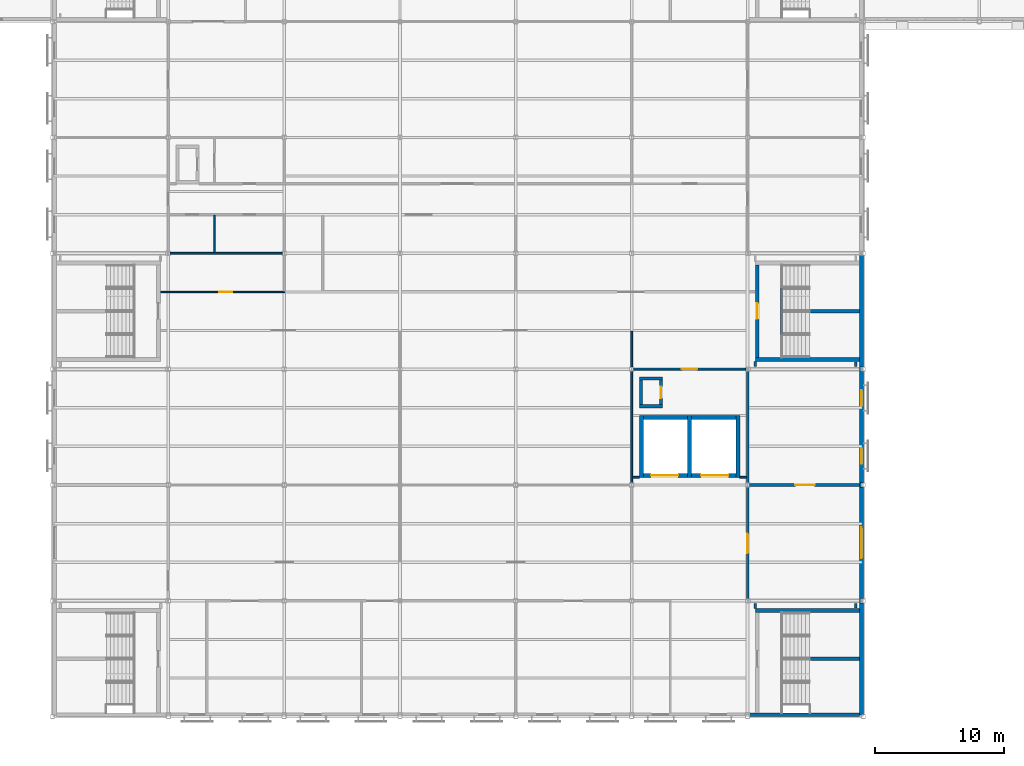
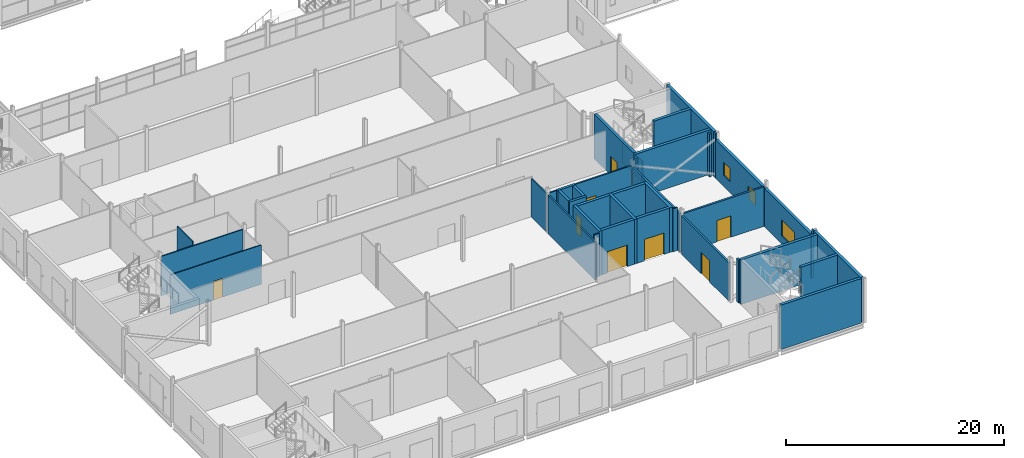
# One storey, part 79 of 112: 40 walls, 8 doors, 3 windows, 11 openings.
"""IFC4 building model written with IfcOpenShell, lengths in metres."""

from ifc_helpers import new_model, si_unit, direction, frame, frame_2d, origin, place, context, subcontext, project, spatial, rectangle, extrude, material, layer, layer_set, type_object, element, fill, save


model = new_model("IFC4")

# Units and contexts
model_context = context("Model", 3, precision=1e-05, world=origin(), true_north=direction((0.0, 1.0)))
body_context = subcontext(model_context, "Body", "Model", "MODEL_VIEW")
ifc_project = project(units=[si_unit("LENGTHUNIT", "METRE"), si_unit("AREAUNIT", "SQUARE_METRE"), si_unit("VOLUMEUNIT", "CUBIC_METRE"), si_unit("PLANEANGLEUNIT", "RADIAN"), si_unit("MASSUNIT", "GRAM", prefix="KILO")], contexts=[model_context])

# Site, building, storey
site_placement = place(None, origin())
site = spatial("IfcSite", under=ifc_project, at=site_placement, CompositionType="ELEMENT")
building_placement = place(site_placement, origin())
building = spatial("IfcBuilding", under=site, at=building_placement, Name="Shorebreak Coast Museum", CompositionType="ELEMENT")
storey_placement = place(building_placement, frame((0.0, 0.0, 6.0)))
storey = spatial("IfcBuildingStorey", under=building, at=storey_placement, Name="L01", CompositionType="ELEMENT", Elevation=6.0)

# Walls
ifc_material_1 = material(Name="Concrete N50 (50 MPa)", Category="concrete")
ifc_layer_1 = layer(ifc_material_1, 0.14990234375)
ifc_layer_set_1 = layer_set([ifc_layer_1], Name="Concrete N50 (50 MPa)")
wall_type_1 = type_object("IfcWallType", Name="Column closure panel 150", PredefinedType="SOLIDWALL", material=ifc_layer_set_1)
wall_1_placement = place(storey_placement, frame((116.77490234375, 8.85009765625, 0.0), z_axis=(0.0, 0.0, 1.0), x_axis=(0.0, 1.0, 0.0)))
element("IfcWall", 1, at=wall_1_placement, inside=storey, type_object=wall_type_1, Name="Column closure panel L01 E 14B", PredefinedType="SOLIDWALL", context=body_context, shape_type="SweptSolid", body=[
    extrude(rectangle(XDim=0.322021484375, YDim=0.14990234375, at=frame_2d((0.1611328125, 0.0))), origin(), (0.0, 0.0, 1.0), 5.0),
])
wall_2_placement = place(storey_placement, frame((116.77490234375, 17.839111328125, 0.0), z_axis=(0.0, 0.0, 1.0), x_axis=(0.0, 1.0, 0.0)))
element("IfcWall", 2, at=wall_2_placement, inside=storey, type_object=wall_type_1, Name="Column closure panel L01 E 14C", PredefinedType="SOLIDWALL", context=body_context, shape_type="SweptSolid", body=[
    extrude(rectangle(XDim=0.32177734375, YDim=0.14990234375, at=frame_2d((0.160888671875, 0.0))), origin(), (0.0, 0.0, 1.0), 4.296875),
])
wall_3_placement = place(storey_placement, frame((116.77490234375, 26.827880859375, 0.0), z_axis=(0.0, 0.0, 1.0), x_axis=(0.0, 1.0, 0.0)))
element("IfcWall", 3, at=wall_3_placement, inside=storey, type_object=wall_type_1, Name="Column closure panel L01 E 14D", PredefinedType="SOLIDWALL", context=body_context, shape_type="SweptSolid", body=[
    extrude(rectangle(XDim=0.322021484375, YDim=0.14990234375, at=frame_2d((0.1611328125, 0.0))), origin(), (0.0, 0.0, 1.0), 5.0),
])
ifc_material_2 = material(Name="Plasterboard on steel stud", Category="steel")
ifc_layer_2 = layer(ifc_material_2, 0.14990234375)
ifc_layer_set_2 = layer_set([ifc_layer_2], Name="Plasterboard on steel stud")
wall_type_2 = type_object("IfcWallType", Name="Fire partition 150", PredefinedType="PARTITIONING", material=ifc_layer_set_2)
wall_4_placement = place(storey_placement, frame((99.074951171875, 18.60009765625, 0.0), z_axis=(0.0, 0.0, 1.0), x_axis=(1.0, 0.0, 0.0)))
element("IfcWall", 4, at=wall_4_placement, inside=storey, type_object=wall_type_2, Name="Partition L01-013", PredefinedType="PARTITIONING", context=body_context, shape_type="SweptSolid", body=[
    extrude(rectangle(XDim=0.525146484375, YDim=0.14990234375, at=frame_2d((0.2626953125, 0.0))), origin(), (0.0, 0.0, 1.0), 4.824951171875),
])
wall_5_placement = place(storey_placement, frame((107.39990234375, 18.60009765625, 0.0), z_axis=(0.0, 0.0, 1.0), x_axis=(1.0, 0.0, 0.0)))
element("IfcWall", 5, at=wall_5_placement, inside=storey, type_object=wall_type_2, Name="Partition L01-014", PredefinedType="PARTITIONING", context=body_context, shape_type="SweptSolid", body=[
    extrude(rectangle(XDim=0.5, YDim=0.14990234375, at=frame_2d((0.25, 0.0))), origin(), (0.0, 0.0, 1.0), 4.824951171875),
])

# Wall, opening, door
wall_6_placement = place(storey_placement, frame((99.154541015625, 27.0, 0.0), z_axis=(0.0, 0.0, 1.0), x_axis=(1.0, 0.0, 0.0)))
wall_6 = element("IfcWall", 6, at=wall_6_placement, inside=storey, type_object=wall_type_2, Name="Partition L01-015", PredefinedType="PARTITIONING", context=body_context, shape_type="SweptSolid", body=[
    extrude(rectangle(XDim=8.69091796875, YDim=0.14990234375, at=frame_2d((4.345458984375, 0.0))), origin(), (0.0, 0.0, 1.0), 4.418701171875),
])
opening_1_placement = place(wall_6_placement, frame((3.75, 0.0, 0.0)))
opening_1 = element("IfcOpeningElement", 7, at=opening_1_placement, cuts=wall_6, Name="Opening D1025", PredefinedType="OPENING", context=body_context, shape_type="SweptSolid", body=[
    extrude(rectangle(XDim=1.199951171875, YDim=2.39990234375, at=frame_2d((0.60009765625, 1.199951171875))), frame((0.0, 0.0849609375, 0.0), z_axis=(0.0, -1.0, 0.0), x_axis=(1.0, 0.0, 0.0)), (0.0, 0.0, 1.0), 0.169921875),
])
ifc_material_3 = material(Name="Steel", Category="steel")
door_type_1 = type_object("IfcDoorType", Name="Fire door 1200x2400 60", OperationType="SINGLE_SWING_LEFT", PredefinedType="DOOR", material=ifc_material_3)
door_1_placement = place(opening_1_placement, origin())
door_1 = element("IfcDoor", 8, at=door_1_placement, inside=storey, type_object=door_type_1, Name="Door D1025 Lift Services Room GL", OperationType="SINGLE_SWING_RIGHT", OverallHeight=2.39990234375, OverallWidth=1.199951171875, PredefinedType="DOOR", context=body_context, shape_type="SweptSolid", body=[
    extrude(rectangle(XDim=1.199951171875, YDim=2.39990234375, at=frame_2d((0.60009765625, 1.199951171875))), frame((0.0, 0.02490234375, 0.0), z_axis=(0.0, -1.0, 0.0), x_axis=(1.0, 0.0, 0.0)), (0.0, 0.0, 1.0), 0.050048828125),
])
fill(opening_1, door_1)

# Walls
wall_7_placement = place(storey_placement, frame((99.0, 18.160400390625, 0.0), z_axis=(0.0, 0.0, 1.0), x_axis=(0.0, 1.0, 0.0)))
element("IfcWall", 9, at=wall_7_placement, inside=storey, type_object=wall_type_2, Name="Partition L01-142", PredefinedType="PARTITIONING", context=body_context, shape_type="SweptSolid", body=[
    extrude(rectangle(XDim=8.67919921875, YDim=0.14990234375, at=frame_2d((4.339599609375, 0.0))), origin(), (0.0, 0.0, 1.0), 4.296875),
])
wall_8_placement = place(storey_placement, frame((99.0, 27.160400390625, 0.0), z_axis=(0.0, 0.0, 1.0), x_axis=(0.0, 1.0, 0.0)))
element("IfcWall", 10, at=wall_8_placement, inside=storey, type_object=wall_type_2, Name="Partition L01-143", PredefinedType="PARTITIONING", context=body_context, shape_type="SweptSolid", body=[
    extrude(rectangle(XDim=2.7646484375, YDim=0.14990234375, at=frame_2d((1.38232421875, 0.0))), origin(), (0.0, 0.0, 1.0), 4.296875),
])

# Wall, opening, door
ifc_material_4 = material(Name="Concrete masonry", Category="masonry")
ifc_layer_3 = layer(ifc_material_4, 0.199951171875)
ifc_layer_set_3 = layer_set([ifc_layer_3], Name="Concrete masonry")
wall_type_3 = type_object("IfcWallType", Name="Fire wall 200", PredefinedType="PARTITIONING", material=ifc_layer_set_3)
wall_9_placement = place(storey_placement, frame((108.154541015625, 18.0, 0.0), z_axis=(0.0, 0.0, 1.0), x_axis=(1.0, 0.0, 0.0)))
wall_9 = element("IfcWall", 11, at=wall_9_placement, inside=storey, type_object=wall_type_3, Name="Partition L01-012", PredefinedType="PARTITIONING", context=body_context, shape_type="SweptSolid", body=[
    extrude(rectangle(XDim=8.54541015625, YDim=0.199951171875, at=frame_2d((4.272705078125, 0.0))), origin(), (0.0, 0.0, 1.0), 4.418701171875),
])
opening_2_placement = place(wall_9_placement, frame((3.550048828125, 0.0, 0.0)))
opening_2 = element("IfcOpeningElement", 12, at=opening_2_placement, cuts=wall_9, Name="Opening D1024", PredefinedType="OPENING", context=body_context, shape_type="SweptSolid", body=[
    extrude(rectangle(XDim=1.5, YDim=2.39990234375, at=frame_2d((0.75, 1.199951171875))), frame((0.0, 0.10986328125, 0.0), z_axis=(0.0, -1.0, 0.0), x_axis=(1.0, 0.0, 0.0)), (0.0, 0.0, 1.0), 0.219970703125),
])
ifc_material_5 = material(Name="Steel", Category="steel")
door_type_2 = type_object("IfcDoorType", Name="Fire door 1500x2400 120", OperationType="DOUBLE_DOOR_SINGLE_SWING", PredefinedType="DOOR", material=ifc_material_5)
door_2_placement = place(opening_2_placement, origin())
door_2 = element("IfcDoor", 13, at=door_2_placement, inside=storey, type_object=door_type_2, Name="Door D1024 Plant Room 1.03", OperationType="DOUBLE_DOOR_SINGLE_SWING", OverallHeight=2.39990234375, OverallWidth=1.5, PredefinedType="DOOR", context=body_context, shape_type="SweptSolid", body=[
    extrude(rectangle(XDim=1.5, YDim=2.39990234375, at=frame_2d((0.75, 1.199951171875))), frame((0.0, 0.02490234375, 0.0), z_axis=(0.0, -1.0, 0.0), x_axis=(1.0, 0.0, 0.0)), (0.0, 0.0, 1.0), 0.050048828125),
])
fill(opening_2, door_2)

wall_10_placement = place(storey_placement, frame((108.0, 9.160400390625, 0.0), z_axis=(0.0, 0.0, 1.0), x_axis=(0.0, 1.0, 0.0)))
wall_10 = element("IfcWall", 14, at=wall_10_placement, inside=storey, type_object=wall_type_3, Name="Partition L01-152", PredefinedType="PARTITIONING", context=body_context, shape_type="SweptSolid", body=[
    extrude(rectangle(XDim=8.67919921875, YDim=0.199951171875, at=frame_2d((4.339599609375, 0.0))), origin(), (0.0, 0.0, 1.0), 4.296875),
])
opening_3_placement = place(wall_10_placement, frame((3.550048828125, 0.0, 0.0)))
opening_3 = element("IfcOpeningElement", 15, at=opening_3_placement, cuts=wall_10, Name="Opening D1023", PredefinedType="OPENING", context=body_context, shape_type="SweptSolid", body=[
    extrude(rectangle(XDim=1.5, YDim=2.39990234375, at=frame_2d((0.75, 1.199951171875))), frame((0.0, 0.10986328125, 0.0), z_axis=(0.0, -1.0, 0.0), x_axis=(1.0, 0.0, 0.0)), (0.0, 0.0, 1.0), 0.219970703125),
])
door_3_placement = place(opening_3_placement, origin())
door_3 = element("IfcDoor", 16, at=door_3_placement, inside=storey, type_object=door_type_2, Name="Door D1023 Plant Room 1.02", OperationType="DOUBLE_DOOR_SINGLE_SWING", OverallHeight=2.39990234375, OverallWidth=1.5, PredefinedType="DOOR", context=body_context, shape_type="SweptSolid", body=[
    extrude(rectangle(XDim=1.5, YDim=2.39990234375, at=frame_2d((0.75, 1.199951171875))), frame((0.0, 0.02490234375, 0.0), z_axis=(0.0, -1.0, 0.0), x_axis=(1.0, 0.0, 0.0)), (0.0, 0.0, 1.0), 0.050048828125),
])
fill(opening_3, door_3)

# Walls
wall_11_placement = place(storey_placement, frame((108.0, 18.160400390625, 0.0), z_axis=(0.0, 0.0, 1.0), x_axis=(0.0, 1.0, 0.0)))
element("IfcWall", 17, at=wall_11_placement, inside=storey, type_object=wall_type_3, Name="Partition L01-153", PredefinedType="PARTITIONING", context=body_context, shape_type="SweptSolid", body=[
    extrude(rectangle(XDim=8.67919921875, YDim=0.199951171875, at=frame_2d((4.339599609375, 0.0))), origin(), (0.0, 0.0, 1.0), 4.296875),
])
for number, where, z_axis, x_axis, name in (
    (18, (108.60009765625, 8.39990234375, 0.0), (0.0, 0.0, 1.0), (0.0, 1.0, 0.0), "Partition L01-158"),
    (19, (108.60009765625, 27.219970703125, 0.0), (0.0, 0.0, 1.0), (0.0, 1.0, 0.0), "Partition L01-159"),
):
    element("IfcWall", number, at=place(storey_placement, frame(where, z_axis=z_axis, x_axis=x_axis)), inside=storey, type_object=wall_type_3, Name=name, PredefinedType="PARTITIONING", context=body_context, shape_type="SweptSolid", body=[
        extrude(rectangle(XDim=0.380126953125, YDim=0.199951171875, at=frame_2d((0.18994140625, 0.0))), origin(), (0.0, 0.0, 1.0), 4.824951171875),
    ])
for number, where, z_axis, x_axis, name in (
    (20, (116.39990234375, 8.449951171875, 0.0), (0.0, 0.0, 1.0), (0.0, 1.0, 0.0), "Partition L01-167"),
    (21, (116.39990234375, 27.219970703125, 0.0), (0.0, 0.0, 1.0), (0.0, 1.0, 0.0), "Partition L01-168"),
):
    element("IfcWall", number, at=place(storey_placement, frame(where, z_axis=z_axis, x_axis=x_axis)), inside=storey, type_object=wall_type_3, Name=name, PredefinedType="PARTITIONING", context=body_context, shape_type="SweptSolid", body=[
        extrude(rectangle(XDim=0.330078125, YDim=0.199951171875, at=frame_2d((0.1650390625, 0.0))), origin(), (0.0, 0.0, 1.0), 4.824951171875),
    ])

# Wall, opening, door
ifc_material_6 = material(Name="Plasterboard on steel stud", Category="steel")
ifc_layer_4 = layer(ifc_material_6, 0.10009765625)
ifc_layer_set_4 = layer_set([ifc_layer_4], Name="Plasterboard on steel stud")
wall_type_4 = type_object("IfcWallType", Name="Partition 100", PredefinedType="PARTITIONING", material=ifc_layer_set_4)
wall_12_placement = place(storey_placement, frame((62.39990234375, 33.0, 0.0), z_axis=(0.0, 0.0, 1.0), x_axis=(1.0, 0.0, 0.0)))
wall_12 = element("IfcWall", 22, at=wall_12_placement, inside=storey, type_object=wall_type_4, Name="Partition L01-017", PredefinedType="PARTITIONING", context=body_context, shape_type="SweptSolid", body=[
    extrude(rectangle(XDim=9.650146484375, YDim=0.10009765625, at=frame_2d((4.8251953125, 0.0))), origin(), (0.0, 0.0, 1.0), 4.418701171875),
])
opening_4_placement = place(wall_12_placement, frame((4.550048828125, 0.0, 0.0)))
opening_4 = element("IfcOpeningElement", 23, at=opening_4_placement, cuts=wall_12, Name="Opening D1032", PredefinedType="OPENING", context=body_context, shape_type="SweptSolid", body=[
    extrude(rectangle(XDim=1.0, YDim=2.10009765625, at=frame_2d((0.5, 1.050048828125))), frame((0.0, 0.06005859375, 0.0), z_axis=(0.0, -1.0, 0.0), x_axis=(1.0, 0.0, 0.0)), (0.0, 0.0, 1.0), 0.1201171875),
])
ifc_material_7 = material(Name="Timber", Category="wood")
door_type_3 = type_object("IfcDoorType", Name="Interior door 1000x2100", OperationType="SINGLE_SWING_LEFT", PredefinedType="DOOR", material=ifc_material_7)
door_4_placement = place(opening_4_placement, origin())
door_4 = element("IfcDoor", 24, at=door_4_placement, inside=storey, type_object=door_type_3, Name="Door D1032 Services Store 1.03", OperationType="SINGLE_SWING_LEFT", OverallHeight=2.10009765625, OverallWidth=1.0, PredefinedType="DOOR", context=body_context, shape_type="SweptSolid", body=[
    extrude(rectangle(XDim=1.0, YDim=2.10009765625, at=frame_2d((0.5, 1.050048828125))), frame((0.0, 0.02490234375, 0.0), z_axis=(0.0, -1.0, 0.0), x_axis=(1.0, 0.0, 0.0)), (0.0, 0.0, 1.0), 0.050048828125),
])
fill(opening_4, door_4)

# Walls
ifc_material_8 = material(Name="Plasterboard on steel stud", Category="steel")
ifc_layer_5 = layer(ifc_material_8, 0.125)
ifc_layer_set_5 = layer_set([ifc_layer_5], Name="Plasterboard on steel stud")
wall_type_5 = type_object("IfcWallType", Name="Partition 125", PredefinedType="PARTITIONING", material=ifc_layer_set_5)
wall_13_placement = place(storey_placement, frame((63.154541015625, 36.0, 0.0), z_axis=(0.0, 0.0, 1.0), x_axis=(1.0, 0.0, 0.0)))
element("IfcWall", 25, at=wall_13_placement, inside=storey, type_object=wall_type_5, Name="Partition L01-019", PredefinedType="PARTITIONING", context=body_context, shape_type="SweptSolid", body=[
    extrude(rectangle(XDim=8.69091796875, YDim=0.125, at=frame_2d((4.345458984375, 0.0))), origin(), (0.0, 0.0, 1.0), 4.418701171875),
])
wall_14_placement = place(storey_placement, frame((66.60009765625, 36.0625, 0.0), z_axis=(0.0, 0.0, 1.0), x_axis=(0.0, 1.0, 0.0)))
element("IfcWall", 26, at=wall_14_placement, inside=storey, type_object=wall_type_5, Name="Partition L01-121", PredefinedType="PARTITIONING", context=body_context, shape_type="SweptSolid", body=[
    extrude(rectangle(XDim=2.875, YDim=0.125, at=frame_2d((1.4375, 0.0))), origin(), (0.0, 0.0, 1.0), 4.824951171875),
])

# Wall, opening, window
ifc_material_9 = material(Name="Concrete N50 (50 MPa)", Category="concrete")
ifc_layer_6 = layer(ifc_material_9, 0.300048828125)
ifc_layer_set_6 = layer_set([ifc_layer_6], Name="Concrete N50 (50 MPa)")
wall_type_6 = type_object("IfcWallType", Name="Plant wall 300 rated", PredefinedType="SOLIDWALL", material=ifc_layer_set_6)
wall_15_placement = place(storey_placement, frame((116.85009765625, 9.172119140625, 0.0), z_axis=(0.0, 0.0, 1.0), x_axis=(0.0, 1.0, 0.0)))
wall_15 = element("IfcWall", 27, at=wall_15_placement, inside=storey, type_object=wall_type_6, Name="External wall L01 E 14B", PredefinedType="SOLIDWALL", context=body_context, shape_type="SweptSolid", body=[
    extrude(rectangle(XDim=8.6669921875, YDim=0.300048828125, at=frame_2d((4.33349609375, 0.0))), origin(), (0.0, 0.0, 1.0), 4.296875),
])
opening_5_placement = place(wall_15_placement, frame((3.1279296875, 0.0, 0.89990234375)))
opening_5 = element("IfcOpeningElement", 28, at=opening_5_placement, cuts=wall_15, Name="Opening WN1001", PredefinedType="OPENING", context=body_context, shape_type="SweptSolid", body=[
    extrude(rectangle(XDim=2.39990234375, YDim=1.800048828125, at=frame_2d((1.199951171875, 0.89990234375))), frame((0.0, 0.159912109375, 0.0), z_axis=(0.0, -1.0, 0.0), x_axis=(1.0, 0.0, 0.0)), (0.0, 0.0, 1.0), 0.320068359375),
])
ifc_material_10 = material(Name="Aluminium", Category="aluminium")
window_type_1 = type_object("IfcWindowType", Name="Plant louvre 2400 x 1800", PartitioningType="TRIPLE_PANEL_VERTICAL", PredefinedType="WINDOW", material=ifc_material_10)
window_1_placement = place(opening_5_placement, origin())
window_1 = element("IfcWindow", 29, at=window_1_placement, inside=storey, type_object=window_type_1, Name="Louvre WN1001", OverallHeight=1.800048828125, OverallWidth=2.39990234375, PartitioningType="TRIPLE_PANEL_VERTICAL", PredefinedType="WINDOW", context=body_context, shape_type="SweptSolid", body=[
    extrude(rectangle(XDim=2.39990234375, YDim=1.800048828125, at=frame_2d((1.199951171875, 0.89990234375))), frame((0.0, 0.030029296875, 0.0), z_axis=(0.0, -1.0, 0.0), x_axis=(1.0, 0.0, 0.0)), (0.0, 0.0, 1.0), 0.06005859375),
])
fill(opening_5, window_1)

# Walls
ifc_material_11 = material(Name="Concrete N50 (50 MPa)", Category="concrete")
ifc_layer_7 = layer(ifc_material_11, 0.25)
ifc_layer_set_7 = layer_set([ifc_layer_7], Name="Concrete N50 (50 MPa)")
wall_type_7 = type_object("IfcWallType", Name="RC riser wall 250", PredefinedType="STANDARD", material=ifc_layer_set_7)
for number, where, z_axis, x_axis, name in (
    (30, (99.60009765625, 24.125, 0.0), (0.0, 0.0, 1.0), (1.0, 0.0, 0.0), "Riser wall R-LBG L01 S"),
    (31, (99.60009765625, 26.27490234375, 0.0), (0.0, 0.0, 1.0), (1.0, 0.0, 0.0), "Riser wall R-LBG L01 N"),
):
    element("IfcWall", number, at=place(storey_placement, frame(where, z_axis=z_axis, x_axis=x_axis)), inside=storey, type_object=wall_type_7, Name=name, PredefinedType="STANDARD", context=body_context, shape_type="SweptSolid", body=[
        extrude(rectangle(XDim=1.7998046875, YDim=0.25, at=frame_2d((0.89990234375, 0.0))), origin(), (0.0, 0.0, 1.0), 5.0),
    ])
wall_16_placement = place(storey_placement, frame((99.72509765625, 24.25, 0.0), z_axis=(0.0, 0.0, 1.0), x_axis=(0.0, 1.0, 0.0)))
element("IfcWall", 32, at=wall_16_placement, inside=storey, type_object=wall_type_7, Name="Riser wall R-LBG L01 W", PredefinedType="STANDARD", context=body_context, shape_type="SweptSolid", body=[
    extrude(rectangle(XDim=1.89990234375, YDim=0.25, at=frame_2d((0.949951171875, 0.0))), origin(), (0.0, 0.0, 1.0), 5.0),
])

# Wall, opening, door
wall_17_placement = place(storey_placement, frame((101.27490234375, 24.25, 0.0), z_axis=(0.0, 0.0, 1.0), x_axis=(0.0, 1.0, 0.0)))
wall_17 = element("IfcWall", 33, at=wall_17_placement, inside=storey, type_object=wall_type_7, Name="Riser wall R-LBG L01 E", PredefinedType="STANDARD", context=body_context, shape_type="SweptSolid", body=[
    extrude(rectangle(XDim=1.89990234375, YDim=0.25, at=frame_2d((0.949951171875, 0.0))), origin(), (0.0, 0.0, 1.0), 5.0),
])
opening_6_placement = place(wall_17_placement, frame((0.5, 0.0, 0.0)))
opening_6 = element("IfcOpeningElement", 34, at=opening_6_placement, cuts=wall_17, Name="Opening D1608", PredefinedType="OPENING", context=body_context, shape_type="SweptSolid", body=[
    extrude(rectangle(XDim=0.89990234375, YDim=2.10009765625, at=frame_2d((0.449951171875, 1.050048828125))), frame((0.0, 0.135009765625, 0.0), z_axis=(0.0, -1.0, 0.0), x_axis=(1.0, 0.0, 0.0)), (0.0, 0.0, 1.0), 0.27001953125),
])
ifc_material_12 = material(Name="Steel Grade 300", Category="steel")
door_type_4 = type_object("IfcDoorType", Name="Riser door 900x2100", OperationType="SINGLE_SWING_LEFT", PredefinedType="DOOR", material=ifc_material_12)
door_5_placement = place(opening_6_placement, origin())
door_5 = element("IfcDoor", 35, at=door_5_placement, inside=storey, type_object=door_type_4, Name="Riser door R-LBG L01", OperationType="SINGLE_SWING_LEFT", OverallHeight=2.10009765625, OverallWidth=0.89990234375, PredefinedType="DOOR", context=body_context, shape_type="SweptSolid", body=[
    extrude(rectangle(XDim=0.89990234375, YDim=2.10009765625, at=frame_2d((0.449951171875, 1.050048828125))), frame((0.0, 0.02490234375, 0.0), z_axis=(0.0, -1.0, 0.0), x_axis=(1.0, 0.0, 0.0)), (0.0, 0.0, 1.0), 0.050048828125),
])
fill(opening_6, door_5)

# Walls
ifc_material_13 = material(Name="Concrete N50 (50 MPa)", Category="concrete")
ifc_layer_8 = layer(ifc_material_13, 0.300048828125)
ifc_layer_set_8 = layer_set([ifc_layer_8], Name="Concrete N50 (50 MPa)")
wall_type_8 = type_object("IfcWallType", Name="RC wall 300", PredefinedType="SHEAR", material=ifc_layer_set_8)
wall_18_placement = place(storey_placement, frame((108.14990234375, 0.14990234375, 0.0), z_axis=(0.0, 0.0, 1.0), x_axis=(1.0, 0.0, 0.0)))
element("IfcWall", 36, at=wall_18_placement, inside=storey, type_object=wall_type_8, Name="Stair core wall ST12 L01 S", PredefinedType="SHEAR", context=body_context, shape_type="SweptSolid", body=[
    extrude(rectangle(XDim=8.550048828125, YDim=0.300048828125, at=frame_2d((4.27490234375, 0.0))), origin(), (0.0, 0.0, 1.0), 5.0),
])
wall_19_placement = place(storey_placement, frame((108.60009765625, 8.25, 0.0), z_axis=(0.0, 0.0, 1.0), x_axis=(1.0, 0.0, 0.0)))
element("IfcWall", 37, at=wall_19_placement, inside=storey, type_object=wall_type_8, Name="Stair core wall ST12 L01 N", PredefinedType="SHEAR", context=body_context, shape_type="SweptSolid", body=[
    extrude(rectangle(XDim=8.099853515625, YDim=0.300048828125, at=frame_2d((4.0498046875, 0.0))), origin(), (0.0, 0.0, 1.0), 5.0),
])
wall_20_placement = place(storey_placement, frame((116.85009765625, 0.14990234375, 0.0), z_axis=(0.0, 0.0, 1.0), x_axis=(0.0, 1.0, 0.0)))
element("IfcWall", 38, at=wall_20_placement, inside=storey, type_object=wall_type_8, Name="Stair core wall ST12 L01 E", PredefinedType="SHEAR", context=body_context, shape_type="SweptSolid", body=[
    extrude(rectangle(XDim=8.7001953125, YDim=0.300048828125, at=frame_2d((4.35009765625, 0.0))), origin(), (0.0, 0.0, 1.0), 5.0),
])
wall_21_placement = place(storey_placement, frame((108.60009765625, 27.75, 0.0), z_axis=(0.0, 0.0, 1.0), x_axis=(1.0, 0.0, 0.0)))
element("IfcWall", 39, at=wall_21_placement, inside=storey, type_object=wall_type_8, Name="Stair core wall ST14 L01 S", PredefinedType="SHEAR", context=body_context, shape_type="SweptSolid", body=[
    extrude(rectangle(XDim=8.099853515625, YDim=0.300048828125, at=frame_2d((4.0498046875, 0.0))), origin(), (0.0, 0.0, 1.0), 5.0),
])

# Wall, opening, door
wall_22_placement = place(storey_placement, frame((108.75, 27.89990234375, 0.0), z_axis=(0.0, 0.0, 1.0), x_axis=(0.0, 1.0, 0.0)))
wall_22 = element("IfcWall", 40, at=wall_22_placement, inside=storey, type_object=wall_type_8, Name="Stair core wall ST14 L01 W", PredefinedType="SHEAR", context=body_context, shape_type="SweptSolid", body=[
    extrude(rectangle(XDim=7.2001953125, YDim=0.300048828125, at=frame_2d((3.60009765625, 0.0))), origin(), (0.0, 0.0, 1.0), 5.0),
])
opening_7_placement = place(wall_22_placement, frame((3.0, 0.0, 0.0)))
opening_7 = element("IfcOpeningElement", 41, at=opening_7_placement, cuts=wall_22, Name="Opening D1814", PredefinedType="OPENING", context=body_context, shape_type="SweptSolid", body=[
    extrude(rectangle(XDim=1.199951171875, YDim=2.10009765625, at=frame_2d((0.60009765625, 1.050048828125))), frame((0.0, 0.159912109375, 0.0), z_axis=(0.0, -1.0, 0.0), x_axis=(1.0, 0.0, 0.0)), (0.0, 0.0, 1.0), 0.320068359375),
])
ifc_material_14 = material(Name="Steel Grade 300", Category="steel")
door_type_5 = type_object("IfcDoorType", Name="Fire door 1200x2100", OperationType="SINGLE_SWING_LEFT", PredefinedType="DOOR", material=ifc_material_14)
door_6_placement = place(opening_7_placement, origin())
door_6 = element("IfcDoor", 42, at=door_6_placement, inside=storey, type_object=door_type_5, Name="Stair door ST14 L01", OperationType="SINGLE_SWING_LEFT", OverallHeight=2.10009765625, OverallWidth=1.199951171875, PredefinedType="DOOR", context=body_context, shape_type="SweptSolid", body=[
    extrude(rectangle(XDim=1.199951171875, YDim=2.10009765625, at=frame_2d((0.60009765625, 1.050048828125))), frame((0.0, 0.02490234375, 0.0), z_axis=(0.0, -1.0, 0.0), x_axis=(1.0, 0.0, 0.0)), (0.0, 0.0, 1.0), 0.050048828125),
])
fill(opening_7, door_6)

# Walls
wall_23_placement = place(storey_placement, frame((116.85009765625, 27.14990234375, 0.0), z_axis=(0.0, 0.0, 1.0), x_axis=(0.0, 1.0, 0.0)))
element("IfcWall", 43, at=wall_23_placement, inside=storey, type_object=wall_type_8, Name="Stair core wall ST14 L01 E", PredefinedType="SHEAR", context=body_context, shape_type="SweptSolid", body=[
    extrude(rectangle(XDim=8.7001953125, YDim=0.300048828125, at=frame_2d((4.35009765625, 0.0))), origin(), (0.0, 0.0, 1.0), 5.0),
])
for number, where, z_axis, x_axis, name in (
    (44, (112.800048828125, 4.5, 0.0), (0.0, 0.0, 1.0), (1.0, 0.0, 0.0), "Stair spine wall ST12 L01"),
    (45, (112.800048828125, 31.5, 0.0), (0.0, 0.0, 1.0), (1.0, 0.0, 0.0), "Stair spine wall ST14 L01"),
):
    element("IfcWall", number, at=place(storey_placement, frame(where, z_axis=z_axis, x_axis=x_axis)), inside=storey, type_object=wall_type_8, Name=name, PredefinedType="SHEAR", context=body_context, shape_type="SweptSolid", body=[
        extrude(rectangle(XDim=3.89990234375, YDim=0.300048828125, at=frame_2d((1.949951171875, 0.0))), origin(), (0.0, 0.0, 1.0), 5.0),
    ])
for number, where, z_axis, x_axis, name in (
    (46, (99.75, 18.60009765625, 0.0), (0.0, 0.0, 1.0), (0.0, 1.0, 0.0), "Lift shaft wall LBG L01 1"),
    (47, (103.5, 18.60009765625, 0.0), (0.0, 0.0, 1.0), (0.0, 1.0, 0.0), "Lift shaft wall LBG L01 2"),
    (48, (107.25, 18.60009765625, 0.0), (0.0, 0.0, 1.0), (0.0, 1.0, 0.0), "Lift shaft wall LBG L01 3"),
):
    element("IfcWall", number, at=place(storey_placement, frame(where, z_axis=z_axis, x_axis=x_axis)), inside=storey, type_object=wall_type_8, Name=name, PredefinedType="SHEAR", context=body_context, shape_type="SweptSolid", body=[
        extrude(rectangle(XDim=4.7998046875, YDim=0.300048828125, at=frame_2d((2.39990234375, 0.0))), origin(), (0.0, 0.0, 1.0), 5.0),
    ])

# Wall, opening, door
wall_24_placement = place(storey_placement, frame((99.89990234375, 18.75, 0.0), z_axis=(0.0, 0.0, 1.0), x_axis=(1.0, 0.0, 0.0)))
wall_24 = element("IfcWall", 49, at=wall_24_placement, inside=storey, type_object=wall_type_8, Name="Lift shaft wall GL1 L01 F", PredefinedType="SHEAR", context=body_context, shape_type="SweptSolid", body=[
    extrude(rectangle(XDim=3.4501953125, YDim=0.300048828125, at=frame_2d((1.72509765625, 0.0))), origin(), (0.0, 0.0, 1.0), 5.0),
])
opening_8_placement = place(wall_24_placement, frame((0.60009765625, 0.0, 0.0)))
opening_8 = element("IfcOpeningElement", 50, at=opening_8_placement, cuts=wall_24, Name="Opening LD1-GL1", PredefinedType="OPENING", context=body_context, shape_type="SweptSolid", body=[
    extrude(rectangle(XDim=2.10009765625, YDim=2.39990234375, at=frame_2d((1.050048828125, 1.199951171875))), frame((0.0, 0.159912109375, 0.0), z_axis=(0.0, -1.0, 0.0), x_axis=(1.0, 0.0, 0.0)), (0.0, 0.0, 1.0), 0.320068359375),
])
ifc_material_15 = material(Name="Steel Grade 300", Category="steel")
door_type_6 = type_object("IfcDoorType", Name="Landing door 2100x2400", OperationType="DOUBLE_DOOR_SLIDING", PredefinedType="DOOR", material=ifc_material_15)
door_7_placement = place(opening_8_placement, origin())
door_7 = element("IfcDoor", 51, at=door_7_placement, inside=storey, type_object=door_type_6, Name="Landing door GL1 L01", OperationType="DOUBLE_DOOR_SLIDING", OverallHeight=2.39990234375, OverallWidth=2.10009765625, PredefinedType="DOOR", context=body_context, shape_type="SweptSolid", body=[
    extrude(rectangle(XDim=2.10009765625, YDim=2.39990234375, at=frame_2d((1.050048828125, 1.199951171875))), frame((0.0, 0.02490234375, 0.0), z_axis=(0.0, -1.0, 0.0), x_axis=(1.0, 0.0, 0.0)), (0.0, 0.0, 1.0), 0.050048828125),
])
fill(opening_8, door_7)

# Wall
wall_25_placement = place(storey_placement, frame((99.89990234375, 23.25, 0.0), z_axis=(0.0, 0.0, 1.0), x_axis=(1.0, 0.0, 0.0)))
element("IfcWall", 52, at=wall_25_placement, inside=storey, type_object=wall_type_8, Name="Lift shaft wall GL1 L01 B", PredefinedType="SHEAR", context=body_context, shape_type="SweptSolid", body=[
    extrude(rectangle(XDim=3.4501953125, YDim=0.300048828125, at=frame_2d((1.72509765625, 0.0))), origin(), (0.0, 0.0, 1.0), 5.0),
])

# Wall, opening, door
wall_26_placement = place(storey_placement, frame((103.64990234375, 18.75, 0.0), z_axis=(0.0, 0.0, 1.0), x_axis=(1.0, 0.0, 0.0)))
wall_26 = element("IfcWall", 53, at=wall_26_placement, inside=storey, type_object=wall_type_8, Name="Lift shaft wall GL2 L01 F", PredefinedType="SHEAR", context=body_context, shape_type="SweptSolid", body=[
    extrude(rectangle(XDim=3.4501953125, YDim=0.300048828125, at=frame_2d((1.72509765625, 0.0))), origin(), (0.0, 0.0, 1.0), 5.0),
])
opening_9_placement = place(wall_26_placement, frame((0.75, 0.0, 0.0)))
opening_9 = element("IfcOpeningElement", 54, at=opening_9_placement, cuts=wall_26, Name="Opening LD1-GL2", PredefinedType="OPENING", context=body_context, shape_type="SweptSolid", body=[
    extrude(rectangle(XDim=2.10009765625, YDim=2.39990234375, at=frame_2d((1.050048828125, 1.199951171875))), frame((0.0, 0.159912109375, 0.0), z_axis=(0.0, -1.0, 0.0), x_axis=(1.0, 0.0, 0.0)), (0.0, 0.0, 1.0), 0.320068359375),
])
door_8_placement = place(opening_9_placement, origin())
door_8 = element("IfcDoor", 55, at=door_8_placement, inside=storey, type_object=door_type_6, Name="Landing door GL2 L01", OperationType="DOUBLE_DOOR_SLIDING", OverallHeight=2.39990234375, OverallWidth=2.10009765625, PredefinedType="DOOR", context=body_context, shape_type="SweptSolid", body=[
    extrude(rectangle(XDim=2.10009765625, YDim=2.39990234375, at=frame_2d((1.050048828125, 1.199951171875))), frame((0.0, 0.02490234375, 0.0), z_axis=(0.0, -1.0, 0.0), x_axis=(1.0, 0.0, 0.0)), (0.0, 0.0, 1.0), 0.050048828125),
])
fill(opening_9, door_8)

# Wall
wall_27_placement = place(storey_placement, frame((103.64990234375, 23.25, 0.0), z_axis=(0.0, 0.0, 1.0), x_axis=(1.0, 0.0, 0.0)))
element("IfcWall", 56, at=wall_27_placement, inside=storey, type_object=wall_type_8, Name="Lift shaft wall GL2 L01 B", PredefinedType="SHEAR", context=body_context, shape_type="SweptSolid", body=[
    extrude(rectangle(XDim=3.4501953125, YDim=0.300048828125, at=frame_2d((1.72509765625, 0.0))), origin(), (0.0, 0.0, 1.0), 5.0),
])

# Wall, openings, windows
ifc_material_16 = material(Name="Concrete N50 (50 MPa)", Category="concrete")
ifc_layer_9 = layer(ifc_material_16, 0.300048828125)
ifc_layer_set_9 = layer_set([ifc_layer_9], Name="Concrete N50 (50 MPa)")
wall_type_9 = type_object("IfcWallType", Name="Sand-coloured precast panel 300", PredefinedType="SOLIDWALL", material=ifc_layer_set_9)
wall_28_placement = place(storey_placement, frame((116.85009765625, 18.160888671875, 0.0), z_axis=(0.0, 0.0, 1.0), x_axis=(0.0, 1.0, 0.0)))
wall_28 = element("IfcWall", 57, at=wall_28_placement, inside=storey, type_object=wall_type_9, Name="External wall L01 E 14C", PredefinedType="SOLIDWALL", context=body_context, shape_type="SweptSolid", body=[
    extrude(rectangle(XDim=8.6669921875, YDim=0.300048828125, at=frame_2d((4.33349609375, 0.0))), origin(), (0.0, 0.0, 1.0), 4.296875),
])
opening_10_placement = place(wall_28_placement, frame((1.489013671875, 0.0, 1.199951171875)))
opening_10 = element("IfcOpeningElement", 58, at=opening_10_placement, cuts=wall_28, Name="Opening WN1002", PredefinedType="OPENING", context=body_context, shape_type="SweptSolid", body=[
    extrude(rectangle(XDim=1.199951171875, YDim=1.5, at=frame_2d((0.60009765625, 0.75))), frame((0.0, 0.159912109375, 0.0), z_axis=(0.0, -1.0, 0.0), x_axis=(1.0, 0.0, 0.0)), (0.0, 0.0, 1.0), 0.320068359375),
])
opening_11_placement = place(wall_28_placement, frame((5.989013671875, 0.0, 1.199951171875)))
opening_11 = element("IfcOpeningElement", 59, at=opening_11_placement, cuts=wall_28, Name="Opening WN1003", PredefinedType="OPENING", context=body_context, shape_type="SweptSolid", body=[
    extrude(rectangle(XDim=1.199951171875, YDim=1.5, at=frame_2d((0.60009765625, 0.75))), frame((0.0, 0.159912109375, 0.0), z_axis=(0.0, -1.0, 0.0), x_axis=(1.0, 0.0, 0.0)), (0.0, 0.0, 1.0), 0.320068359375),
])
ifc_material_17 = material(Name="Aluminium", Category="aluminium")
window_type_2 = type_object("IfcWindowType", Name="Punched window 1200 x 1500", PartitioningType="SINGLE_PANEL", PredefinedType="WINDOW", material=ifc_material_17)
window_2_placement = place(opening_10_placement, origin())
window_2 = element("IfcWindow", 60, at=window_2_placement, inside=storey, type_object=window_type_2, Name="Window WN1002", OverallHeight=1.5, OverallWidth=1.199951171875, PartitioningType="SINGLE_PANEL", PredefinedType="WINDOW", context=body_context, shape_type="SweptSolid", body=[
    extrude(rectangle(XDim=1.199951171875, YDim=1.5, at=frame_2d((0.60009765625, 0.75))), frame((0.0, 0.030029296875, 0.0), z_axis=(0.0, -1.0, 0.0), x_axis=(1.0, 0.0, 0.0)), (0.0, 0.0, 1.0), 0.06005859375),
])
fill(opening_10, window_2)
window_3_placement = place(opening_11_placement, origin())
window_3 = element("IfcWindow", 61, at=window_3_placement, inside=storey, type_object=window_type_2, Name="Window WN1003", OverallHeight=1.5, OverallWidth=1.199951171875, PartitioningType="SINGLE_PANEL", PredefinedType="WINDOW", context=body_context, shape_type="SweptSolid", body=[
    extrude(rectangle(XDim=1.199951171875, YDim=1.5, at=frame_2d((0.60009765625, 0.75))), frame((0.0, 0.030029296875, 0.0), z_axis=(0.0, -1.0, 0.0), x_axis=(1.0, 0.0, 0.0)), (0.0, 0.0, 1.0), 0.06005859375),
])
fill(opening_11, window_3)

# Wall
ifc_material_18 = material(Name="Concrete N50 (50 MPa)", Category="concrete")
ifc_layer_10 = layer(ifc_material_18, 0.14990234375)
ifc_layer_set_10 = layer_set([ifc_layer_10], Name="Concrete N50 (50 MPa)")
wall_type_10 = type_object("IfcWallType", Name="Understair wall 150", PredefinedType="STANDARD", material=ifc_layer_set_10)
wall_29_placement = place(storey_placement, frame((110.625, 29.699951171875, 0.0), z_axis=(0.0, 0.0, 1.0), x_axis=(0.0, 1.0, 0.0)))
element("IfcWall", 62, at=wall_29_placement, inside=storey, type_object=wall_type_10, Name="Understair wall ST14 L01 floor", PredefinedType="STANDARD", context=body_context, shape_type="SweptSolid", body=[
    extrude(rectangle(XDim=3.60009765625, YDim=0.14990234375, at=frame_2d((1.800048828125, 0.0))), origin(), (0.0, 0.0, 1.0), 2.300048828125),
])

save(model, "model.ifc")
